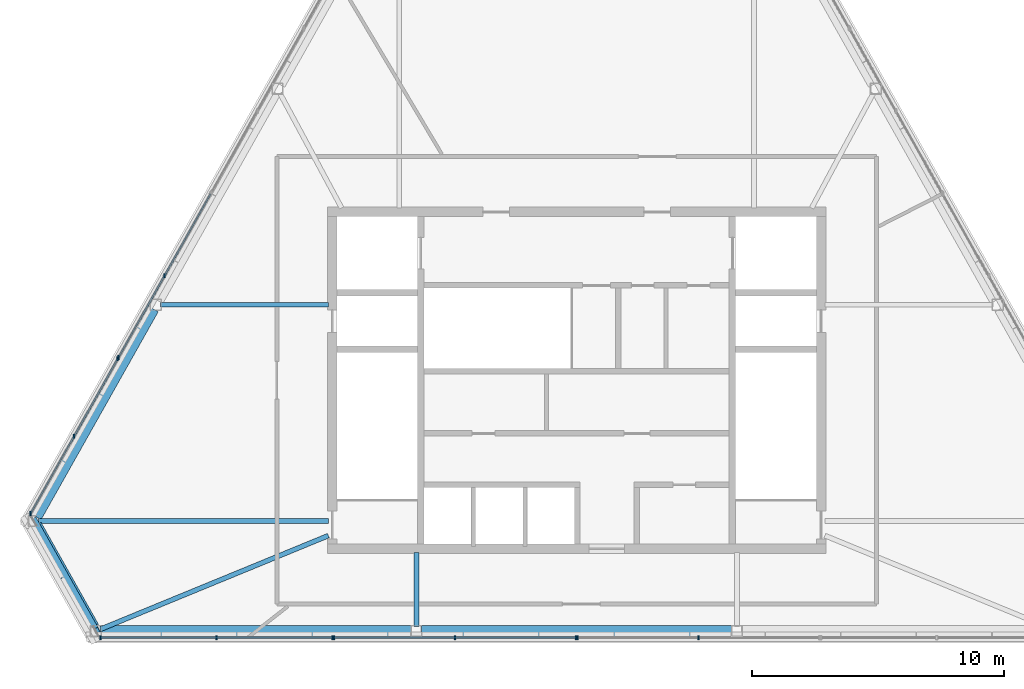
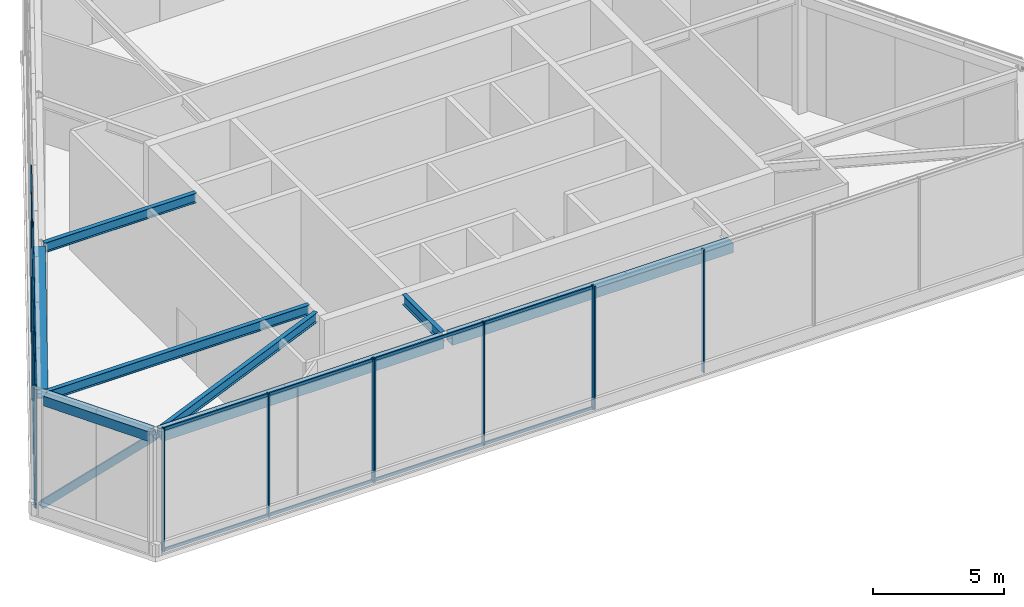
# One storey, part 2 of 11: 22 members, 8 beams, 5 elements without a shape of their own.
"""IFC4 building model written with IfcOpenShell, lengths in metres."""

from ifc_helpers import new_model, si_unit, direction, frame, origin, origin_2d, place, context, subcontext, project, spatial, rectangle, hollow_rectangle, i_section, extrude, material, layer, layer_set, material_profile, profile_set, type_object, element, aggregate, save


model = new_model("IFC4")

# Units and contexts
model_context = context("Model", 3, precision=1e-05, world=origin(), true_north=direction((0.0, 1.0)))
body_context = subcontext(model_context, "Body", "Model", "MODEL_VIEW")
ifc_project = project(units=[si_unit("LENGTHUNIT", "METRE"), si_unit("AREAUNIT", "SQUARE_METRE"), si_unit("VOLUMEUNIT", "CUBIC_METRE"), si_unit("PLANEANGLEUNIT", "RADIAN"), si_unit("MASSUNIT", "GRAM", prefix="KILO")], contexts=[model_context])

# Site, building, storey
site_placement = place(None, origin())
site = spatial("IfcSite", under=ifc_project, at=site_placement, CompositionType="ELEMENT")
building_placement = place(site_placement, origin())
building = spatial("IfcBuilding", under=site, at=building_placement, Name="Kavelnor Concourse Tower", CompositionType="ELEMENT")
storey_placement = place(building_placement, frame((0.0, 0.0, 309.949951171875)))
storey = spatial("IfcBuildingStorey", under=building, at=storey_placement, Name="L78", CompositionType="ELEMENT", Elevation=309.949951171875)

# Beams
ifc_material_1 = material(Name="Steel Grade 350", Category="steel")
ifc_material_profile_1 = material_profile(ifc_material_1, hollow_rectangle(XDim=0.449951171875, YDim=0.449951171875, WallThickness=0.02197265625, at=origin_2d()), Name="RHS 450x450x22")
ifc_profile_set_1 = profile_set([ifc_material_profile_1], Name="Steel Grade 350")
beam_type_1 = type_object("IfcBeamType", Name="BM-CROWN-RING-450", PredefinedType="BEAM", material=ifc_profile_set_1)
beam_1_placement = place(storey_placement, frame((21.182373046875, 18.931640625, 5.295166015625), z_axis=(-0.490736882662, -0.871307817017, 0.0), x_axis=(0.871307817017, -0.490736882662, 0.0)))
element("IfcBeam", 1, at=beam_1_placement, inside=storey, type_object=beam_type_1, Name="L78 Crown Frame Ring Beam 03", PredefinedType="BEAM", context=body_context, shape_type="SweptSolid", body=[
    extrude(hollow_rectangle(XDim=0.449951171875, YDim=0.449951171875, WallThickness=0.02197265625, at=origin_2d()), origin(), (0.0, 0.0, 1.0), 9.478271484375),
])
beam_2_placement = place(storey_placement, frame((16.531005859375, 10.342041015625, 5.295166015625), z_axis=(0.490715989154, -0.871319584302, 0.0), x_axis=(0.871319584302, 0.490715989154, 0.0)))
element("IfcBeam", 2, at=beam_2_placement, inside=storey, type_object=beam_type_1, Name="L78 Crown Frame Ring Beam 04", PredefinedType="BEAM", context=body_context, shape_type="SweptSolid", body=[
    extrude(hollow_rectangle(XDim=0.449951171875, YDim=0.449951171875, WallThickness=0.02197265625, at=origin_2d()), origin(), (0.0, 0.0, 1.0), 4.638427734375),
])
beam_3_placement = place(storey_placement, frame((19.09033203125, 6.135009765625, 5.295166015625), z_axis=(1.0, 0.0, 0.0), x_axis=(0.0, 1.0, 0.0)))
element("IfcBeam", 3, at=beam_3_placement, inside=storey, type_object=beam_type_1, Name="L78 Crown Frame Ring Beam 05", PredefinedType="BEAM", context=body_context, shape_type="SweptSolid", body=[
    extrude(hollow_rectangle(XDim=0.449951171875, YDim=0.449951171875, WallThickness=0.02197265625, at=origin_2d()), origin(), (0.0, 0.0, 1.0), 12.353271484375),
])
beam_4_placement = place(storey_placement, frame((31.823486328125, 6.135009765625, 5.295166015625), z_axis=(1.0, 0.0, 0.0), x_axis=(0.0, 1.0, 0.0)))
element("IfcBeam", 4, at=beam_4_placement, inside=storey, type_object=beam_type_1, Name="L78 Crown Frame Ring Beam 06", PredefinedType="BEAM", context=body_context, shape_type="SweptSolid", body=[
    extrude(hollow_rectangle(XDim=0.449951171875, YDim=0.449951171875, WallThickness=0.02197265625, at=origin_2d()), origin(), (0.0, 0.0, 1.0), 12.35302734375),
])
ifc_material_profile_2 = material_profile(ifc_material_1, i_section(OverallWidth=0.18994140625, OverallDepth=0.4541015625, WebThickness=0.008544921875, FlangeThickness=0.0126953125, at=origin_2d()), Name="460UB67")
ifc_profile_set_2 = profile_set([ifc_material_profile_2], Name="Steel Grade 350")
beam_type_2 = type_object("IfcBeamType", Name="BM-PRIMARY-460", PredefinedType="BEAM", material=ifc_profile_set_2)
beam_5_placement = place(storey_placement, frame((28.139892578125, 19.09716796875, 5.29296875), z_axis=(-1.0, 0.0, 0.0), x_axis=(0.0, -1.0, 0.0)))
element("IfcBeam", 5, at=beam_5_placement, inside=storey, type_object=beam_type_2, Name="L78 Crown Frame Radial Girder F0B4", PredefinedType="BEAM", context=body_context, shape_type="SweptSolid", body=[
    extrude(i_section(OverallWidth=0.18994140625, OverallDepth=0.4541015625, WebThickness=0.008544921875, FlangeThickness=0.0126953125, at=origin_2d()), origin(), (0.0, 0.0, 1.0), 6.679443359375),
])
beam_6_placement = place(storey_placement, frame((28.139892578125, 10.507568359375, 5.29296875), z_axis=(-1.0, 0.0, 0.0), x_axis=(0.0, -1.0, 0.0)))
element("IfcBeam", 6, at=beam_6_placement, inside=storey, type_object=beam_type_2, Name="L78 Crown Frame Radial Girder F0B6", PredefinedType="BEAM", context=body_context, shape_type="SweptSolid", body=[
    extrude(i_section(OverallWidth=0.18994140625, OverallDepth=0.4541015625, WebThickness=0.008544921875, FlangeThickness=0.0126953125, at=origin_2d()), origin(), (0.0, 0.0, 1.0), 11.51708984375),
])
beam_7_placement = place(storey_placement, frame((28.136962890625, 9.930419921875, 5.29296875), z_axis=(-0.924961076242, -0.380061846858, 0.0), x_axis=(0.380061846858, -0.924961076242, 0.0)))
element("IfcBeam", 7, at=beam_7_placement, inside=storey, type_object=beam_type_2, Name="L78 Crown Frame Radial Girder F1B0", PredefinedType="BEAM", context=body_context, shape_type="SweptSolid", body=[
    extrude(i_section(OverallWidth=0.18994140625, OverallDepth=0.4541015625, WebThickness=0.008544921875, FlangeThickness=0.0126953125, at=origin_2d()), origin(), (0.0, 0.0, 1.0), 9.78271484375),
])
beam_8_placement = place(storey_placement, frame((31.633544921875, 9.260009765625, 5.29296875), z_axis=(0.0, -1.0, 0.0), x_axis=(1.0, 0.0, 0.0)))
element("IfcBeam", 8, at=beam_8_placement, inside=storey, type_object=beam_type_2, Name="L78 Crown Frame Radial Girder F1B2", PredefinedType="BEAM", context=body_context, shape_type="SweptSolid", body=[
    extrude(i_section(OverallWidth=0.18994140625, OverallDepth=0.4541015625, WebThickness=0.008544921875, FlangeThickness=0.0126953125, at=origin_2d()), origin(), (0.0, 0.0, 1.0), 2.93994140625),
])

# Curtain wall, members
ifc_material_2 = material(Name="Anodised aluminium 6063-T6", Category="aluminium")
ifc_layer = layer(ifc_material_2, 0.1650390625, Name="Anodised aluminium 6063-T6")
ifc_layer_set = layer_set([ifc_layer], Name="Anodised aluminium 6063-T6")
curtain_wall_type = type_object("IfcCurtainWallType", Name="CW-CROWN-SCREEN", PredefinedType="NOTDEFINED", material=ifc_layer_set)
curtain_wall_1_placement = place(storey_placement, origin())
curtain_wall_1 = element("IfcCurtainWall", 9, at=curtain_wall_1_placement, inside=storey, type_object=curtain_wall_type, Name="L78 Crown Fritted Screen Curtain Wall E1-S3", PredefinedType="NOTDEFINED")
ifc_material_profile_3 = material_profile(ifc_material_2, rectangle(XDim=0.06005859375, YDim=0.1650390625, at=origin_2d()), Name="AL-MULL 60x165")
ifc_profile_set_3 = profile_set([ifc_material_profile_3], Name="Anodised aluminium 6063-T6")
member_type_1 = type_object("IfcMemberType", Name="CW-CROWN-SCREEN-MULL", PredefinedType="MULLION", material=ifc_profile_set_3)
member_1_placement = place(storey_placement, frame((21.627197265625, 20.251708984375, 0.0), z_axis=(0.0, 0.0, 1.0), x_axis=(1.0, 0.0, 0.0)))
member_1 = element("IfcMember", 10, at=member_1_placement, type_object=member_type_1, Name="L78 Crown Fritted Screen Curtain Wall E1-S3 Mullion 1", PredefinedType="MULLION", context=body_context, shape_type="SweptSolid", body=[
    extrude(rectangle(XDim=0.06005859375, YDim=0.1650390625, at=origin_2d()), origin(), (0.0, 0.0, 1.0), 5.72998046875),
])
member_2_placement = place(storey_placement, frame((19.798828125, 17.00537109375, 0.0), z_axis=(0.0, 0.0, 1.0), x_axis=(1.0, 0.0, 0.0)))
member_2 = element("IfcMember", 11, at=member_2_placement, type_object=member_type_1, Name="L78 Crown Fritted Screen Curtain Wall E1-S3 Mullion 2", PredefinedType="MULLION", context=body_context, shape_type="SweptSolid", body=[
    extrude(rectangle(XDim=0.06005859375, YDim=0.1650390625, at=origin_2d()), origin(), (0.0, 0.0, 1.0), 5.72998046875),
])

curtain_wall_2_placement = place(storey_placement, origin())
curtain_wall_2 = element("IfcCurtainWall", 12, at=curtain_wall_2_placement, inside=storey, type_object=curtain_wall_type, Name="L78 Crown Fritted Screen Curtain Wall E1-S4", PredefinedType="NOTDEFINED")
member_3_placement = place(storey_placement, frame((19.76953125, 16.953125, 0.0), z_axis=(0.0, 0.0, 1.0), x_axis=(1.0, 0.0, 0.0)))
member_3 = element("IfcMember", 13, at=member_3_placement, type_object=member_type_1, Name="L78 Crown Fritted Screen Curtain Wall E1-S4 Mullion 0", PredefinedType="MULLION", context=body_context, shape_type="SweptSolid", body=[
    extrude(rectangle(XDim=0.06005859375, YDim=0.1650390625, at=origin_2d()), origin(), (0.0, 0.0, 1.0), 5.72998046875),
])
member_4_placement = place(storey_placement, frame((18.039306640625, 13.881103515625, 0.0), z_axis=(0.0, 0.0, 1.0), x_axis=(1.0, 0.0, 0.0)))
member_4 = element("IfcMember", 14, at=member_4_placement, type_object=member_type_1, Name="L78 Crown Fritted Screen Curtain Wall E1-S4 Mullion 1", PredefinedType="MULLION", context=body_context, shape_type="SweptSolid", body=[
    extrude(rectangle(XDim=0.06005859375, YDim=0.1650390625, at=origin_2d()), origin(), (0.0, 0.0, 1.0), 5.72998046875),
])
member_5_placement = place(storey_placement, frame((16.30908203125, 10.80908203125, 0.0), z_axis=(0.0, 0.0, 1.0), x_axis=(1.0, 0.0, 0.0)))
member_5 = element("IfcMember", 15, at=member_5_placement, type_object=member_type_1, Name="L78 Crown Fritted Screen Curtain Wall E1-S4 Mullion 2", PredefinedType="MULLION", context=body_context, shape_type="SweptSolid", body=[
    extrude(rectangle(XDim=0.06005859375, YDim=0.1650390625, at=origin_2d()), origin(), (0.0, 0.0, 1.0), 5.72998046875),
])

curtain_wall_3_placement = place(storey_placement, origin())
curtain_wall_3 = element("IfcCurtainWall", 16, at=curtain_wall_3_placement, inside=storey, type_object=curtain_wall_type, Name="L78 Crown Fritted Screen Curtain Wall E3-S1", PredefinedType="NOTDEFINED")
member_6_placement = place(storey_placement, frame((19.08984375, 5.875, 0.0), z_axis=(0.0, 0.0, 1.0), x_axis=(1.0, 0.0, 0.0)))
member_6 = element("IfcMember", 17, at=member_6_placement, type_object=member_type_1, Name="L78 Crown Fritted Screen Curtain Wall E3-S1 Mullion 0", PredefinedType="MULLION", context=body_context, shape_type="SweptSolid", body=[
    extrude(rectangle(XDim=0.06005859375, YDim=0.1650390625, at=origin_2d()), origin(), (0.0, 0.0, 1.0), 5.72998046875),
])
member_7_placement = place(storey_placement, frame((23.69482421875, 5.875, 0.0), z_axis=(0.0, 0.0, 1.0), x_axis=(1.0, 0.0, 0.0)))
member_7 = element("IfcMember", 18, at=member_7_placement, type_object=member_type_1, Name="L78 Crown Fritted Screen Curtain Wall E3-S1 Mullion 1", PredefinedType="MULLION", context=body_context, shape_type="SweptSolid", body=[
    extrude(rectangle(XDim=0.06005859375, YDim=0.1650390625, at=origin_2d()), origin(), (0.0, 0.0, 1.0), 5.72998046875),
])
member_8_placement = place(storey_placement, frame((28.2998046875, 5.875, 0.0), z_axis=(0.0, 0.0, 1.0), x_axis=(1.0, 0.0, 0.0)))
member_8 = element("IfcMember", 19, at=member_8_placement, type_object=member_type_1, Name="L78 Crown Fritted Screen Curtain Wall E3-S1 Mullion 2", PredefinedType="MULLION", context=body_context, shape_type="SweptSolid", body=[
    extrude(rectangle(XDim=0.06005859375, YDim=0.1650390625, at=origin_2d()), origin(), (0.0, 0.0, 1.0), 5.72998046875),
])

curtain_wall_4_placement = place(storey_placement, origin())
curtain_wall_4 = element("IfcCurtainWall", 20, at=curtain_wall_4_placement, inside=storey, type_object=curtain_wall_type, Name="L78 Crown Fritted Screen Curtain Wall E3-S2", PredefinedType="NOTDEFINED")
member_9_placement = place(storey_placement, frame((28.360107421875, 5.875, 0.0), z_axis=(0.0, 0.0, 1.0), x_axis=(1.0, 0.0, 0.0)))
member_9 = element("IfcMember", 21, at=member_9_placement, type_object=member_type_1, Name="L78 Crown Fritted Screen Curtain Wall E3-S2 Mullion 0", PredefinedType="MULLION", context=body_context, shape_type="SweptSolid", body=[
    extrude(rectangle(XDim=0.06005859375, YDim=0.1650390625, at=origin_2d()), origin(), (0.0, 0.0, 1.0), 5.72998046875),
])
member_10_placement = place(storey_placement, frame((33.1650390625, 5.875, 0.0), z_axis=(0.0, 0.0, 1.0), x_axis=(1.0, 0.0, 0.0)))
member_10 = element("IfcMember", 22, at=member_10_placement, type_object=member_type_1, Name="L78 Crown Fritted Screen Curtain Wall E3-S2 Mullion 1", PredefinedType="MULLION", context=body_context, shape_type="SweptSolid", body=[
    extrude(rectangle(XDim=0.06005859375, YDim=0.1650390625, at=origin_2d()), origin(), (0.0, 0.0, 1.0), 5.72998046875),
])
member_11_placement = place(storey_placement, frame((37.969970703125, 5.875, 0.0), z_axis=(0.0, 0.0, 1.0), x_axis=(1.0, 0.0, 0.0)))
member_11 = element("IfcMember", 23, at=member_11_placement, type_object=member_type_1, Name="L78 Crown Fritted Screen Curtain Wall E3-S2 Mullion 2", PredefinedType="MULLION", context=body_context, shape_type="SweptSolid", body=[
    extrude(rectangle(XDim=0.06005859375, YDim=0.1650390625, at=origin_2d()), origin(), (0.0, 0.0, 1.0), 5.72998046875),
])

curtain_wall_5_placement = place(storey_placement, origin())
curtain_wall_5 = element("IfcCurtainWall", 24, at=curtain_wall_5_placement, inside=storey, type_object=curtain_wall_type, Name="L78 Crown Fritted Screen Curtain Wall E3-S3", PredefinedType="NOTDEFINED")
member_12_placement = place(storey_placement, frame((38.030029296875, 5.875, 0.0), z_axis=(0.0, 0.0, 1.0), x_axis=(1.0, 0.0, 0.0)))
member_12 = element("IfcMember", 25, at=member_12_placement, type_object=member_type_1, Name="L78 Crown Fritted Screen Curtain Wall E3-S3 Mullion 0", PredefinedType="MULLION", context=body_context, shape_type="SweptSolid", body=[
    extrude(rectangle(XDim=0.06005859375, YDim=0.1650390625, at=origin_2d()), origin(), (0.0, 0.0, 1.0), 5.72998046875),
])
member_13_placement = place(storey_placement, frame((42.8349609375, 5.875, 0.0), z_axis=(0.0, 0.0, 1.0), x_axis=(1.0, 0.0, 0.0)))
member_13 = element("IfcMember", 26, at=member_13_placement, type_object=member_type_1, Name="L78 Crown Fritted Screen Curtain Wall E3-S3 Mullion 1", PredefinedType="MULLION", context=body_context, shape_type="SweptSolid", body=[
    extrude(rectangle(XDim=0.06005859375, YDim=0.1650390625, at=origin_2d()), origin(), (0.0, 0.0, 1.0), 5.72998046875),
])
aggregate(curtain_wall_5, [member_12, member_13])

# Member
ifc_material_profile_4 = material_profile(ifc_material_2, rectangle(XDim=0.06005859375, YDim=0.135009765625, at=origin_2d()), Name="AL-TRAN 60x135")
ifc_profile_set_4 = profile_set([ifc_material_profile_4], Name="Anodised aluminium 6063-T6")
member_type_2 = type_object("IfcMemberType", Name="CW-CROWN-SCREEN-TRAN", PredefinedType="USERDEFINED", material=ifc_profile_set_4)
member_14_placement = place(storey_placement, frame((23.45556640625, 23.497802734375, 0.06005859375), z_axis=(-0.490744949201, -0.871303273742, 0.0), x_axis=(0.871303273742, -0.490744949201, 0.0)))
member_14 = element("IfcMember", 27, at=member_14_placement, type_object=member_type_2, Name="L78 Crown Fritted Screen Curtain Wall E1-S3 Transom 0-BOT", ObjectType="TRANSOM", PredefinedType="USERDEFINED", context=body_context, shape_type="SweptSolid", body=[
    extrude(rectangle(XDim=0.06005859375, YDim=0.135009765625, at=origin_2d()), origin(), (0.0, 0.0, 1.0), 7.451416015625),
])

member_15_placement = place(storey_placement, frame((23.45556640625, 23.497802734375, 5.670166015625), z_axis=(-0.490744949201, -0.871303273742, 0.0), x_axis=(0.871303273742, -0.490744949201, 0.0)))
member_15 = element("IfcMember", 28, at=member_15_placement, type_object=member_type_2, Name="L78 Crown Fritted Screen Curtain Wall E1-S3 Transom 0-TOP", ObjectType="TRANSOM", PredefinedType="USERDEFINED", context=body_context, shape_type="SweptSolid", body=[
    extrude(rectangle(XDim=0.06005859375, YDim=0.135009765625, at=origin_2d()), origin(), (0.0, 0.0, 1.0), 7.451416015625),
])

aggregate(curtain_wall_1, [member_1, member_2, member_14, member_15])

member_16_placement = place(storey_placement, frame((19.76953125, 16.953125, 0.06005859375), z_axis=(-0.49073786638, -0.871307262968, 0.0), x_axis=(0.871307262968, -0.49073786638, 0.0)))
member_16 = element("IfcMember", 29, at=member_16_placement, type_object=member_type_2, Name="L78 Crown Fritted Screen Curtain Wall E1-S4 Transom 0-BOT", ObjectType="TRANSOM", PredefinedType="USERDEFINED", context=body_context, shape_type="SweptSolid", body=[
    extrude(rectangle(XDim=0.06005859375, YDim=0.135009765625, at=origin_2d()), origin(), (0.0, 0.0, 1.0), 7.051513671875),
])

member_17_placement = place(storey_placement, frame((19.76953125, 16.953125, 5.670166015625), z_axis=(-0.49073786638, -0.871307262968, 0.0), x_axis=(0.871307262968, -0.49073786638, 0.0)))
member_17 = element("IfcMember", 30, at=member_17_placement, type_object=member_type_2, Name="L78 Crown Fritted Screen Curtain Wall E1-S4 Transom 0-TOP", ObjectType="TRANSOM", PredefinedType="USERDEFINED", context=body_context, shape_type="SweptSolid", body=[
    extrude(rectangle(XDim=0.06005859375, YDim=0.135009765625, at=origin_2d()), origin(), (0.0, 0.0, 1.0), 7.051513671875),
])

aggregate(curtain_wall_2, [member_3, member_4, member_5, member_16, member_17])

member_18_placement = place(storey_placement, frame((19.08984375, 5.875, 0.06005859375), z_axis=(1.0, 0.0, 0.0), x_axis=(0.0, 1.0, 0.0)))
member_18 = element("IfcMember", 31, at=member_18_placement, type_object=member_type_2, Name="L78 Crown Fritted Screen Curtain Wall E3-S1 Transom 0-BOT", ObjectType="TRANSOM", PredefinedType="USERDEFINED", context=body_context, shape_type="SweptSolid", body=[
    extrude(rectangle(XDim=0.06005859375, YDim=0.135009765625, at=origin_2d()), origin(), (0.0, 0.0, 1.0), 9.2099609375),
])

member_19_placement = place(storey_placement, frame((19.08984375, 5.875, 5.670166015625), z_axis=(1.0, 0.0, 0.0), x_axis=(0.0, 1.0, 0.0)))
member_19 = element("IfcMember", 32, at=member_19_placement, type_object=member_type_2, Name="L78 Crown Fritted Screen Curtain Wall E3-S1 Transom 0-TOP", ObjectType="TRANSOM", PredefinedType="USERDEFINED", context=body_context, shape_type="SweptSolid", body=[
    extrude(rectangle(XDim=0.06005859375, YDim=0.135009765625, at=origin_2d()), origin(), (0.0, 0.0, 1.0), 9.2099609375),
])

aggregate(curtain_wall_3, [member_6, member_7, member_8, member_18, member_19])

member_20_placement = place(storey_placement, frame((28.360107421875, 5.875, 0.06005859375), z_axis=(1.0, 0.0, 0.0), x_axis=(0.0, 1.0, 0.0)))
member_20 = element("IfcMember", 33, at=member_20_placement, type_object=member_type_2, Name="L78 Crown Fritted Screen Curtain Wall E3-S2 Transom 0-BOT", ObjectType="TRANSOM", PredefinedType="USERDEFINED", context=body_context, shape_type="SweptSolid", body=[
    extrude(rectangle(XDim=0.06005859375, YDim=0.135009765625, at=origin_2d()), origin(), (0.0, 0.0, 1.0), 9.60986328125),
])

member_21_placement = place(storey_placement, frame((28.360107421875, 5.875, 5.670166015625), z_axis=(1.0, 0.0, 0.0), x_axis=(0.0, 1.0, 0.0)))
member_21 = element("IfcMember", 34, at=member_21_placement, type_object=member_type_2, Name="L78 Crown Fritted Screen Curtain Wall E3-S2 Transom 0-TOP", ObjectType="TRANSOM", PredefinedType="USERDEFINED", context=body_context, shape_type="SweptSolid", body=[
    extrude(rectangle(XDim=0.06005859375, YDim=0.135009765625, at=origin_2d()), origin(), (0.0, 0.0, 1.0), 9.60986328125),
])

aggregate(curtain_wall_4, [member_9, member_10, member_11, member_20, member_21])

ifc_material_profile_5 = material_profile(ifc_material_1, hollow_rectangle(XDim=0.300048828125, YDim=0.300048828125, WallThickness=0.01611328125, at=origin_2d()), Name="SHS 300x300x16")
ifc_profile_set_5 = profile_set([ifc_material_profile_5], Name="Steel Grade 350")
member_type_3 = type_object("IfcMemberType", Name="MBR-CROWN-BRACE-300", PredefinedType="BRACE", material=ifc_profile_set_5)
member_22_placement = place(storey_placement, frame((16.437744140625, 10.507568359375, 0.300048828125), z_axis=(0.347801270722, -0.617539482367, 0.705463864278), x_axis=(0.871312964664, 0.490727742857, 0.0)))
element("IfcMember", 35, at=member_22_placement, inside=storey, type_object=member_type_3, Name="L78 Crown Frame Diagonal Brace 04", PredefinedType="BRACE", context=body_context, shape_type="SweptSolid", body=[
    extrude(hollow_rectangle(XDim=0.300048828125, YDim=0.300048828125, WallThickness=0.01611328125, at=origin_2d()), origin(), (0.0, 0.0, 1.0), 7.08056640625),
])

save(model, "model.ifc")
